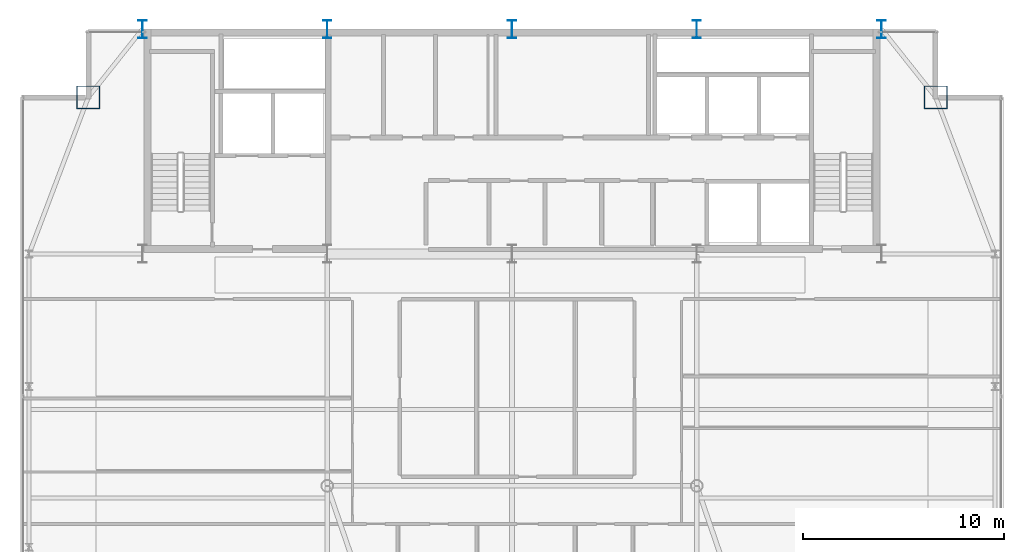
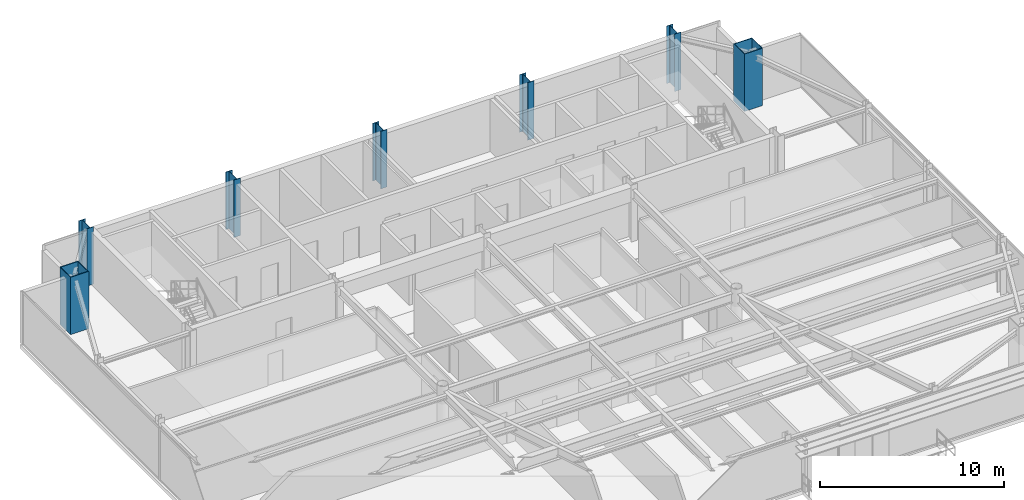
# One storey, part 3 of 28: 7 columns.
"""IFC4 building model written with IfcOpenShell, lengths in metres."""

from ifc_helpers import new_model, si_unit, direction, frame, origin, origin_2d, place, context, subcontext, project, spatial, hollow_rectangle, i_section, extrude, source, transform, mapped, material, material_profile, profile_set, type_object, type_shapes, element, save


model = new_model("IFC4")

# Units and contexts
model_context = context("Model", 3, precision=1e-05, world=origin(), true_north=direction((0.0, 1.0)))
body_context = subcontext(model_context, "Body", "Model", "MODEL_VIEW")
ifc_project = project(units=[si_unit("LENGTHUNIT", "METRE"), si_unit("AREAUNIT", "SQUARE_METRE"), si_unit("VOLUMEUNIT", "CUBIC_METRE"), si_unit("PLANEANGLEUNIT", "RADIAN"), si_unit("MASSUNIT", "GRAM", prefix="KILO")], contexts=[model_context])

# Site, building, storey
site_placement = place(None, origin())
site = spatial("IfcSite", under=ifc_project, at=site_placement, CompositionType="ELEMENT")
building_placement = place(site_placement, origin())
building = spatial("IfcBuilding", under=site, at=building_placement, Name="Varnel Quay Broadcast Tower", CompositionType="ELEMENT")
storey_placement = place(building_placement, frame((0.0, 0.0, 230.199951171875)))
storey = spatial("IfcBuildingStorey", under=building, at=storey_placement, Name="L57", CompositionType="ELEMENT", Elevation=230.199951171875)

# Columns
ifc_material = material(Name="Structural Steel CSA G40.21 350WT", Category="steel")
ifc_material_profile_1 = material_profile(ifc_material, i_section(OverallWidth=0.39990234375, OverallDepth=0.89990234375, WebThickness=0.01611328125, FlangeThickness=0.028076171875, FilletRadius=0.01611328125, at=origin_2d()), Name="WWF900X309")
ifc_profile_set_1 = profile_set([ifc_material_profile_1], Name="Structural Steel CSA G40.21 350WT")
column_type_1 = type_object("IfcColumnType", Name="Col_WWF900X309", PredefinedType="COLUMN", material=ifc_profile_set_1)
shared_shape_1 = source(origin(), body_context, "Body", "SweptSolid", [
    extrude(i_section(OverallWidth=0.39990234375, OverallDepth=0.89990234375, WebThickness=0.01611328125, FlangeThickness=0.028076171875, FilletRadius=0.01611328125, at=origin_2d()), origin(), (0.0, 0.0, 1.0), 3.800048828125),
])
type_shapes(column_type_1, [shared_shape_1])
for number, where, z_axis, x_axis, name in (
    (1, (15.60009765625, 46.800048828125, 0.0), (0.0, 0.0, 1.0), (1.0, 0.0, 0.0), "L57 Column CC-N1"),
    (2, (24.800048828125, 46.800048828125, 0.0), (0.0, 0.0, 1.0), (1.0, 0.0, 0.0), "L57 Column CC-N2"),
    (3, (34.0, 46.800048828125, 0.0), (0.0, 0.0, 1.0), (1.0, 0.0, 0.0), "L57 Column CC-N3"),
    (4, (43.199951171875, 46.800048828125, 0.0), (0.0, 0.0, 1.0), (1.0, 0.0, 0.0), "L57 Column CC-N4"),
    (5, (52.39990234375, 46.800048828125, 0.0), (0.0, 0.0, 1.0), (1.0, 0.0, 0.0), "L57 Column CC-N5"),
):
    element("IfcColumn", number, at=place(storey_placement, frame(where, z_axis=z_axis, x_axis=x_axis)), inside=storey, type_object=column_type_1, Name=name, PredefinedType="COLUMN", context=body_context, shape_type="MappedRepresentation", body=[
        mapped(shared_shape_1, transform((0.0, 0.0, 0.0), x_axis=(1.0, 0.0, 0.0), y_axis=(0.0, 1.0, 0.0), z_axis=(0.0, 0.0, 1.0), scale=1.0)),
    ])
ifc_material_profile_2 = material_profile(ifc_material, hollow_rectangle(XDim=1.14990234375, YDim=1.14990234375, WallThickness=0.044921875, at=origin_2d()), Name="BOX1150X1150X45")
ifc_profile_set_2 = profile_set([ifc_material_profile_2], Name="Structural Steel CSA G40.21 350WT")
column_type_2 = type_object("IfcColumnType", Name="Col_BOX1150X1150X45", PredefinedType="COLUMN", material=ifc_profile_set_2)
shared_shape_2 = source(origin(), body_context, "Body", "SweptSolid", [
    extrude(hollow_rectangle(XDim=1.14990234375, YDim=1.14990234375, WallThickness=0.044921875, at=origin_2d()), origin(), (0.0, 0.0, 1.0), 3.800048828125),
])
type_shapes(column_type_2, [shared_shape_2])
for number, where, z_axis, x_axis, name in (
    (6, (55.10009765625, 43.39990234375, 0.0), (0.0, 0.0, 1.0), (1.0, 0.0, 0.0), "L57 Column MC-NE"),
    (7, (12.89990234375, 43.39990234375, 0.0), (0.0, 0.0, 1.0), (1.0, 0.0, 0.0), "L57 Column MC-NW"),
):
    element("IfcColumn", number, at=place(storey_placement, frame(where, z_axis=z_axis, x_axis=x_axis)), inside=storey, type_object=column_type_2, Name=name, PredefinedType="COLUMN", context=body_context, shape_type="MappedRepresentation", body=[
        mapped(shared_shape_2, transform((0.0, 0.0, 0.0), x_axis=(1.0, 0.0, 0.0), y_axis=(0.0, 1.0, 0.0), z_axis=(0.0, 0.0, 1.0), scale=1.0)),
    ])

save(model, "model.ifc")
